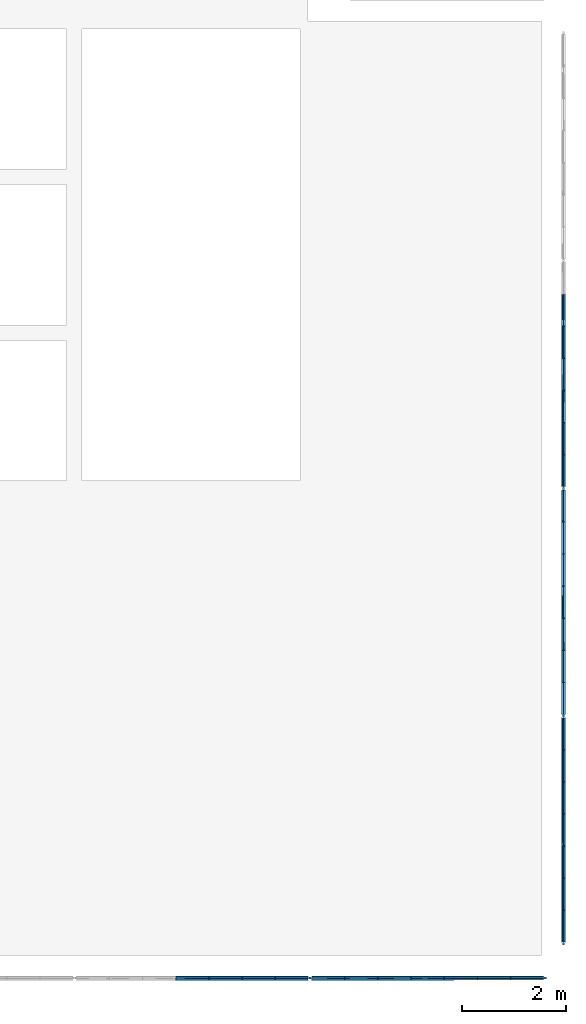
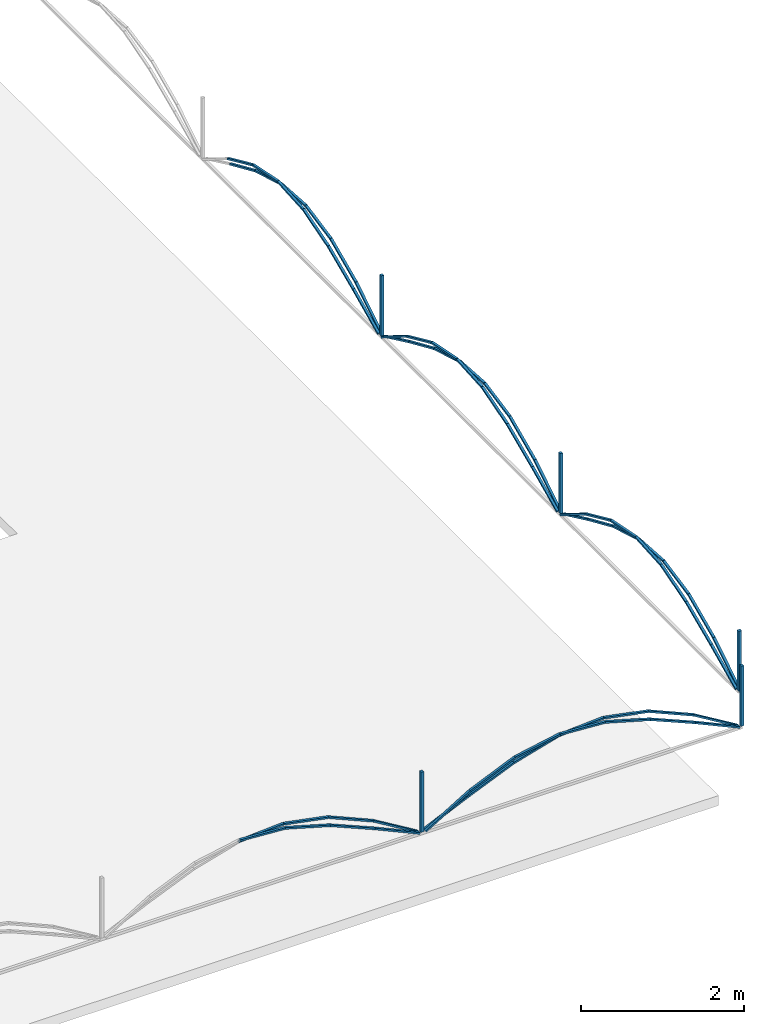
# One storey, part 5 of 9: 67 discrete accessories.
"""IFC4 building model written with IfcOpenShell, lengths in metres."""

from ifc_helpers import new_model, si_unit, direction, frame, origin, origin_2d, place, context, subcontext, project, spatial, rectangle, extrude, material, material_profile, profile_set, type_object, element, save


model = new_model("IFC4")

# Units and contexts
model_context = context("Model", 3, precision=1e-05, world=origin(), true_north=direction((0.0, 1.0)))
body_context = subcontext(model_context, "Body", "Model", "MODEL_VIEW")
ifc_project = project(units=[si_unit("LENGTHUNIT", "METRE"), si_unit("AREAUNIT", "SQUARE_METRE"), si_unit("VOLUMEUNIT", "CUBIC_METRE"), si_unit("PLANEANGLEUNIT", "RADIAN"), si_unit("MASSUNIT", "GRAM", prefix="KILO")], contexts=[model_context])

# Site, building, storey
site_placement = place(None, origin())
site = spatial("IfcSite", under=ifc_project, at=site_placement, CompositionType="ELEMENT")
building_placement = place(site_placement, origin())
building = spatial("IfcBuilding", under=site, at=building_placement, Name="Hortulan Conservatory and Botanical Research Centre", CompositionType="ELEMENT")
storey_placement = place(building_placement, frame((0.0, 0.0, 74.25)))
storey = spatial("IfcBuildingStorey", under=building, at=storey_placement, Name="MAIN ROOF", CompositionType="ELEMENT", Elevation=74.25)

# Discrete accessories
ifc_material = material(Name="Bronze-charcoal painted wrought iron", Category="metal")
ifc_material_profile_1 = material_profile(ifc_material, rectangle(XDim=0.0400390625, YDim=0.0400390625, at=origin_2d()), Name="Square bar 40x40")
ifc_profile_set_1 = profile_set([ifc_material_profile_1], Name="Bronze-charcoal painted wrought iron")
discrete_accessory_type_1 = type_object("IfcDiscreteAccessoryType", Name="Cresting Post 40x40", PredefinedType="USERDEFINED", material=ifc_profile_set_1)
for number, where, z_axis, x_axis, name in (
    (1, (31.574951171875, -0.43603515625, 1.43994140625), (0.0, 0.0, 1.0), (1.0, 0.0, 0.0), "Cresting post"),
    (2, (27.042724609375, -0.43603515625, 1.43994140625), (0.0, 0.0, 1.0), (1.0, 0.0, 0.0), "Cresting post"),
    (3, (31.925048828125, 9.0, 1.43994140625), (0.0, 0.0, 1.0), (1.0, 0.0, 0.0), "Cresting post"),
    (4, (31.925048828125, 4.612548828125, 1.43994140625), (0.0, 0.0, 1.0), (1.0, 0.0, 0.0), "Cresting post"),
    (5, (31.925048828125, 0.22509765625, 1.43994140625), (0.0, 0.0, 1.0), (1.0, 0.0, 0.0), "Cresting post"),
):
    element("IfcDiscreteAccessory", number, at=place(storey_placement, frame(where, z_axis=z_axis, x_axis=x_axis)), inside=storey, type_object=discrete_accessory_type_1, Name=name, ObjectType="Cresting post", PredefinedType="USERDEFINED", context=body_context, shape_type="SweptSolid", body=[
        extrude(rectangle(XDim=0.0400390625, YDim=0.0400390625, at=origin_2d()), origin(), (0.0, 0.0, 1.0), 0.900146484375),
    ])
ifc_material_profile_2 = material_profile(ifc_material, rectangle(XDim=0.034912109375, YDim=0.02490234375, at=origin_2d()), Name="Flat bar 35x25")
ifc_profile_set_2 = profile_set([ifc_material_profile_2], Name="Bronze-charcoal painted wrought iron")
discrete_accessory_type_2 = type_object("IfcDiscreteAccessoryType", Name="Whiplash Bar 35x25", PredefinedType="USERDEFINED", material=ifc_profile_set_2)
discrete_accessory_1_placement = place(storey_placement, frame((31.534912109375, -0.41845703125, 1.43994140625), z_axis=(-0.856475901136, 0.0, 0.516187011433), x_axis=(0.0, -1.0, 0.0)))
element("IfcDiscreteAccessory", 6, at=discrete_accessory_1_placement, inside=storey, type_object=discrete_accessory_type_2, Name="Whiplash bar", ObjectType="Whiplash cresting bar", PredefinedType="USERDEFINED", context=body_context, shape_type="SweptSolid", body=[
    extrude(rectangle(XDim=0.034912109375, YDim=0.02490234375, at=origin_2d()), origin(), (0.0, 0.0, 1.0), 0.74267578125),
])
discrete_accessory_2_placement = place(storey_placement, frame((30.89892578125, -0.41845703125, 1.8232421875), z_axis=(-0.916762059437, 0.0, 0.399433757183), x_axis=(0.0, -1.0, 0.0)))
element("IfcDiscreteAccessory", 7, at=discrete_accessory_2_placement, inside=storey, type_object=discrete_accessory_type_2, Name="Whiplash bar", ObjectType="Whiplash cresting bar", PredefinedType="USERDEFINED", context=body_context, shape_type="SweptSolid", body=[
    extrude(rectangle(XDim=0.034912109375, YDim=0.02490234375, at=origin_2d()), origin(), (0.0, 0.0, 1.0), 0.69384765625),
])
discrete_accessory_3_placement = place(storey_placement, frame((30.262939453125, -0.41845703125, 2.100341796875), z_axis=(-0.981582036387, 0.0, 0.191041110345), x_axis=(0.0, -1.0, 0.0)))
element("IfcDiscreteAccessory", 8, at=discrete_accessory_3_placement, inside=storey, type_object=discrete_accessory_type_2, Name="Whiplash bar", ObjectType="Whiplash cresting bar", PredefinedType="USERDEFINED", context=body_context, shape_type="SweptSolid", body=[
    extrude(rectangle(XDim=0.034912109375, YDim=0.02490234375, at=origin_2d()), origin(), (0.0, 0.0, 1.0), 0.64794921875),
])
discrete_accessory_4_placement = place(storey_placement, frame((29.626953125, -0.41845703125, 2.22412109375), z_axis=(-0.997877401135, 0.0, -0.065120598155), x_axis=(0.0, -1.0, 0.0)))
element("IfcDiscreteAccessory", 9, at=discrete_accessory_4_placement, inside=storey, type_object=discrete_accessory_type_2, Name="Whiplash bar", ObjectType="Whiplash cresting bar", PredefinedType="USERDEFINED", context=body_context, shape_type="SweptSolid", body=[
    extrude(rectangle(XDim=0.034912109375, YDim=0.02490234375, at=origin_2d()), origin(), (0.0, 0.0, 1.0), 0.637451171875),
])
discrete_accessory_5_placement = place(storey_placement, frame((28.990966796875, -0.41845703125, 2.1826171875), z_axis=(-0.961356655994, 0.0, -0.275305975191), x_axis=(0.0, -1.0, 0.0)))
element("IfcDiscreteAccessory", 10, at=discrete_accessory_5_placement, inside=storey, type_object=discrete_accessory_type_2, Name="Whiplash bar", ObjectType="Whiplash cresting bar", PredefinedType="USERDEFINED", context=body_context, shape_type="SweptSolid", body=[
    extrude(rectangle(XDim=0.034912109375, YDim=0.02490234375, at=origin_2d()), origin(), (0.0, 0.0, 1.0), 0.66162109375),
])
discrete_accessory_6_placement = place(storey_placement, frame((28.35498046875, -0.41845703125, 2.00048828125), z_axis=(-0.920400830323, 0.0, -0.390976100985), x_axis=(0.0, -1.0, 0.0)))
element("IfcDiscreteAccessory", 11, at=discrete_accessory_6_placement, inside=storey, type_object=discrete_accessory_type_2, Name="Whiplash bar", ObjectType="Whiplash cresting bar", PredefinedType="USERDEFINED", context=body_context, shape_type="SweptSolid", body=[
    extrude(rectangle(XDim=0.034912109375, YDim=0.02490234375, at=origin_2d()), origin(), (0.0, 0.0, 1.0), 0.691162109375),
])
for number, where, z_axis, x_axis, name in (
    (12, (27.71875, -0.41845703125, 1.730224609375), (-0.909719549908, 0.0, -0.415223241781), (0.0, -1.0, 0.0), "Whiplash bar"),
    (13, (31.534912109375, -0.45361328125, 1.43994140625), (-0.909719549908, 0.0, 0.415223241781), (0.0, -1.0, 0.0), "Whiplash bar"),
):
    element("IfcDiscreteAccessory", number, at=place(storey_placement, frame(where, z_axis=z_axis, x_axis=x_axis)), inside=storey, type_object=discrete_accessory_type_2, Name=name, ObjectType="Whiplash cresting bar", PredefinedType="USERDEFINED", context=body_context, shape_type="SweptSolid", body=[
        extrude(rectangle(XDim=0.034912109375, YDim=0.02490234375, at=origin_2d()), origin(), (0.0, 0.0, 1.0), 0.69921875),
    ])
discrete_accessory_7_placement = place(storey_placement, frame((30.89892578125, -0.45361328125, 1.730224609375), z_axis=(-0.920346815269, 0.0, 0.391103233974), x_axis=(0.0, -1.0, 0.0)))
element("IfcDiscreteAccessory", 14, at=discrete_accessory_7_placement, inside=storey, type_object=discrete_accessory_type_2, Name="Whiplash bar", ObjectType="Whiplash cresting bar", PredefinedType="USERDEFINED", context=body_context, shape_type="SweptSolid", body=[
    extrude(rectangle(XDim=0.034912109375, YDim=0.02490234375, at=origin_2d()), origin(), (0.0, 0.0, 1.0), 0.69091796875),
])
discrete_accessory_8_placement = place(storey_placement, frame((30.262939453125, -0.45361328125, 2.00048828125), z_axis=(-0.961356655994, 0.0, 0.275305975191), x_axis=(0.0, -1.0, 0.0)))
element("IfcDiscreteAccessory", 15, at=discrete_accessory_8_placement, inside=storey, type_object=discrete_accessory_type_2, Name="Whiplash bar", ObjectType="Whiplash cresting bar", PredefinedType="USERDEFINED", context=body_context, shape_type="SweptSolid", body=[
    extrude(rectangle(XDim=0.034912109375, YDim=0.02490234375, at=origin_2d()), origin(), (0.0, 0.0, 1.0), 0.66162109375),
])
discrete_accessory_9_placement = place(storey_placement, frame((29.626953125, -0.45361328125, 2.1826171875), z_axis=(-0.997877401135, 0.0, 0.065120598155), x_axis=(0.0, -1.0, 0.0)))
element("IfcDiscreteAccessory", 16, at=discrete_accessory_9_placement, inside=storey, type_object=discrete_accessory_type_2, Name="Whiplash bar", ObjectType="Whiplash cresting bar", PredefinedType="USERDEFINED", context=body_context, shape_type="SweptSolid", body=[
    extrude(rectangle(XDim=0.034912109375, YDim=0.02490234375, at=origin_2d()), origin(), (0.0, 0.0, 1.0), 0.637451171875),
])
discrete_accessory_10_placement = place(storey_placement, frame((28.990966796875, -0.45361328125, 2.22412109375), z_axis=(-0.981582036387, 0.0, -0.191041110345), x_axis=(0.0, -1.0, 0.0)))
element("IfcDiscreteAccessory", 17, at=discrete_accessory_10_placement, inside=storey, type_object=discrete_accessory_type_2, Name="Whiplash bar", ObjectType="Whiplash cresting bar", PredefinedType="USERDEFINED", context=body_context, shape_type="SweptSolid", body=[
    extrude(rectangle(XDim=0.034912109375, YDim=0.02490234375, at=origin_2d()), origin(), (0.0, 0.0, 1.0), 0.64794921875),
])
discrete_accessory_11_placement = place(storey_placement, frame((28.35498046875, -0.45361328125, 2.100341796875), z_axis=(-0.916818180811, 0.0, -0.399304925257), x_axis=(0.0, -1.0, 0.0)))
element("IfcDiscreteAccessory", 18, at=discrete_accessory_11_placement, inside=storey, type_object=discrete_accessory_type_2, Name="Whiplash bar", ObjectType="Whiplash cresting bar", PredefinedType="USERDEFINED", context=body_context, shape_type="SweptSolid", body=[
    extrude(rectangle(XDim=0.034912109375, YDim=0.02490234375, at=origin_2d()), origin(), (0.0, 0.0, 1.0), 0.69384765625),
])
for number, where, z_axis, x_axis, name in (
    (19, (27.71875, -0.45361328125, 1.8232421875), (-0.856475901136, 0.0, -0.516187011433), (0.0, -1.0, 0.0), "Whiplash bar"),
    (20, (27.002685546875, -0.41845703125, 1.43994140625), (-0.856475901136, 0.0, 0.516187011433), (0.0, -1.0, 0.0), "Whiplash bar"),
):
    element("IfcDiscreteAccessory", number, at=place(storey_placement, frame(where, z_axis=z_axis, x_axis=x_axis)), inside=storey, type_object=discrete_accessory_type_2, Name=name, ObjectType="Whiplash cresting bar", PredefinedType="USERDEFINED", context=body_context, shape_type="SweptSolid", body=[
        extrude(rectangle(XDim=0.034912109375, YDim=0.02490234375, at=origin_2d()), origin(), (0.0, 0.0, 1.0), 0.74267578125),
    ])
discrete_accessory_12_placement = place(storey_placement, frame((26.36669921875, -0.41845703125, 1.8232421875), z_axis=(-0.916762059437, 0.0, 0.399433757183), x_axis=(0.0, -1.0, 0.0)))
element("IfcDiscreteAccessory", 21, at=discrete_accessory_12_placement, inside=storey, type_object=discrete_accessory_type_2, Name="Whiplash bar", ObjectType="Whiplash cresting bar", PredefinedType="USERDEFINED", context=body_context, shape_type="SweptSolid", body=[
    extrude(rectangle(XDim=0.034912109375, YDim=0.02490234375, at=origin_2d()), origin(), (0.0, 0.0, 1.0), 0.69384765625),
])
discrete_accessory_13_placement = place(storey_placement, frame((25.730712890625, -0.41845703125, 2.100341796875), z_axis=(-0.981582036387, 0.0, 0.191041110345), x_axis=(0.0, -1.0, 0.0)))
element("IfcDiscreteAccessory", 22, at=discrete_accessory_13_placement, inside=storey, type_object=discrete_accessory_type_2, Name="Whiplash bar", ObjectType="Whiplash cresting bar", PredefinedType="USERDEFINED", context=body_context, shape_type="SweptSolid", body=[
    extrude(rectangle(XDim=0.034912109375, YDim=0.02490234375, at=origin_2d()), origin(), (0.0, 0.0, 1.0), 0.64794921875),
])
discrete_accessory_14_placement = place(storey_placement, frame((25.0947265625, -0.41845703125, 2.22412109375), z_axis=(-0.997877401135, 0.0, -0.065120598155), x_axis=(0.0, -1.0, 0.0)))
element("IfcDiscreteAccessory", 23, at=discrete_accessory_14_placement, inside=storey, type_object=discrete_accessory_type_2, Name="Whiplash bar", ObjectType="Whiplash cresting bar", PredefinedType="USERDEFINED", context=body_context, shape_type="SweptSolid", body=[
    extrude(rectangle(XDim=0.034912109375, YDim=0.02490234375, at=origin_2d()), origin(), (0.0, 0.0, 1.0), 0.637451171875),
])
discrete_accessory_15_placement = place(storey_placement, frame((27.002685546875, -0.45361328125, 1.43994140625), z_axis=(-0.909719549908, 0.0, 0.415223241781), x_axis=(0.0, -1.0, 0.0)))
element("IfcDiscreteAccessory", 24, at=discrete_accessory_15_placement, inside=storey, type_object=discrete_accessory_type_2, Name="Whiplash bar", ObjectType="Whiplash cresting bar", PredefinedType="USERDEFINED", context=body_context, shape_type="SweptSolid", body=[
    extrude(rectangle(XDim=0.034912109375, YDim=0.02490234375, at=origin_2d()), origin(), (0.0, 0.0, 1.0), 0.69921875),
])
discrete_accessory_16_placement = place(storey_placement, frame((26.36669921875, -0.45361328125, 1.730224609375), z_axis=(-0.920346815269, 0.0, 0.391103233974), x_axis=(0.0, -1.0, 0.0)))
element("IfcDiscreteAccessory", 25, at=discrete_accessory_16_placement, inside=storey, type_object=discrete_accessory_type_2, Name="Whiplash bar", ObjectType="Whiplash cresting bar", PredefinedType="USERDEFINED", context=body_context, shape_type="SweptSolid", body=[
    extrude(rectangle(XDim=0.034912109375, YDim=0.02490234375, at=origin_2d()), origin(), (0.0, 0.0, 1.0), 0.69091796875),
])
discrete_accessory_17_placement = place(storey_placement, frame((25.730712890625, -0.45361328125, 2.00048828125), z_axis=(-0.961356655994, 0.0, 0.275305975191), x_axis=(0.0, -1.0, 0.0)))
element("IfcDiscreteAccessory", 26, at=discrete_accessory_17_placement, inside=storey, type_object=discrete_accessory_type_2, Name="Whiplash bar", ObjectType="Whiplash cresting bar", PredefinedType="USERDEFINED", context=body_context, shape_type="SweptSolid", body=[
    extrude(rectangle(XDim=0.034912109375, YDim=0.02490234375, at=origin_2d()), origin(), (0.0, 0.0, 1.0), 0.66162109375),
])
discrete_accessory_18_placement = place(storey_placement, frame((25.0947265625, -0.45361328125, 2.1826171875), z_axis=(-0.997877401135, 0.0, 0.065120598155), x_axis=(0.0, -1.0, 0.0)))
element("IfcDiscreteAccessory", 27, at=discrete_accessory_18_placement, inside=storey, type_object=discrete_accessory_type_2, Name="Whiplash bar", ObjectType="Whiplash cresting bar", PredefinedType="USERDEFINED", context=body_context, shape_type="SweptSolid", body=[
    extrude(rectangle(XDim=0.034912109375, YDim=0.02490234375, at=origin_2d()), origin(), (0.0, 0.0, 1.0), 0.637451171875),
])
discrete_accessory_19_placement = place(storey_placement, frame((31.907470703125, 12.732177734375, 1.8232421875), z_axis=(0.0, -0.911847044529, 0.410530105331), x_axis=(1.0, 0.0, 0.0)))
element("IfcDiscreteAccessory", 28, at=discrete_accessory_19_placement, inside=storey, type_object=discrete_accessory_type_2, Name="Whiplash bar", ObjectType="Whiplash cresting bar", PredefinedType="USERDEFINED", context=body_context, shape_type="SweptSolid", body=[
    extrude(rectangle(XDim=0.034912109375, YDim=0.02490234375, at=origin_2d()), origin(), (0.0, 0.0, 1.0), 0.675048828125),
])
discrete_accessory_20_placement = place(storey_placement, frame((31.907470703125, 12.11669921875, 2.100341796875), z_axis=(0.0, -0.980355593169, 0.197238208626), x_axis=(1.0, 0.0, 0.0)))
element("IfcDiscreteAccessory", 29, at=discrete_accessory_20_placement, inside=storey, type_object=discrete_accessory_type_2, Name="Whiplash bar", ObjectType="Whiplash cresting bar", PredefinedType="USERDEFINED", context=body_context, shape_type="SweptSolid", body=[
    extrude(rectangle(XDim=0.034912109375, YDim=0.02490234375, at=origin_2d()), origin(), (0.0, 0.0, 1.0), 0.62744140625),
])
discrete_accessory_21_placement = place(storey_placement, frame((31.907470703125, 11.50146484375, 2.22412109375), z_axis=(0.0, -0.997734082527, -0.067280759234), x_axis=(1.0, 0.0, 0.0)))
element("IfcDiscreteAccessory", 30, at=discrete_accessory_21_placement, inside=storey, type_object=discrete_accessory_type_2, Name="Whiplash bar", ObjectType="Whiplash cresting bar", PredefinedType="USERDEFINED", context=body_context, shape_type="SweptSolid", body=[
    extrude(rectangle(XDim=0.034912109375, YDim=0.02490234375, at=origin_2d()), origin(), (0.0, 0.0, 1.0), 0.616943359375),
])
discrete_accessory_22_placement = place(storey_placement, frame((31.907470703125, 10.885986328125, 2.1826171875), z_axis=(0.0, -0.958867179445, -0.283855125344), x_axis=(1.0, 0.0, 0.0)))
element("IfcDiscreteAccessory", 31, at=discrete_accessory_22_placement, inside=storey, type_object=discrete_accessory_type_2, Name="Whiplash bar", ObjectType="Whiplash cresting bar", PredefinedType="USERDEFINED", context=body_context, shape_type="SweptSolid", body=[
    extrude(rectangle(XDim=0.034912109375, YDim=0.02490234375, at=origin_2d()), origin(), (0.0, 0.0, 1.0), 0.6416015625),
])
discrete_accessory_23_placement = place(storey_placement, frame((31.907470703125, 10.270751953125, 2.00048828125), z_axis=(0.0, -0.915555942631, -0.402190646227), x_axis=(1.0, 0.0, 0.0)))
element("IfcDiscreteAccessory", 32, at=discrete_accessory_23_placement, inside=storey, type_object=discrete_accessory_type_2, Name="Whiplash bar", ObjectType="Whiplash cresting bar", PredefinedType="USERDEFINED", context=body_context, shape_type="SweptSolid", body=[
    extrude(rectangle(XDim=0.034912109375, YDim=0.02490234375, at=origin_2d()), origin(), (0.0, 0.0, 1.0), 0.671875),
])
discrete_accessory_24_placement = place(storey_placement, frame((31.907470703125, 9.655517578125, 1.730224609375), z_axis=(0.0, -0.904452486438, -0.426574377777), x_axis=(1.0, 0.0, 0.0)))
element("IfcDiscreteAccessory", 33, at=discrete_accessory_24_placement, inside=storey, type_object=discrete_accessory_type_2, Name="Whiplash bar", ObjectType="Whiplash cresting bar", PredefinedType="USERDEFINED", context=body_context, shape_type="SweptSolid", body=[
    extrude(rectangle(XDim=0.034912109375, YDim=0.02490234375, at=origin_2d()), origin(), (0.0, 0.0, 1.0), 0.680419921875),
])
discrete_accessory_25_placement = place(storey_placement, frame((31.9423828125, 12.732177734375, 1.730224609375), z_axis=(0.0, -0.915614682317, 0.402056903342), x_axis=(1.0, 0.0, 0.0)))
element("IfcDiscreteAccessory", 34, at=discrete_accessory_25_placement, inside=storey, type_object=discrete_accessory_type_2, Name="Whiplash bar", ObjectType="Whiplash cresting bar", PredefinedType="USERDEFINED", context=body_context, shape_type="SweptSolid", body=[
    extrude(rectangle(XDim=0.034912109375, YDim=0.02490234375, at=origin_2d()), origin(), (0.0, 0.0, 1.0), 0.672119140625),
])
discrete_accessory_26_placement = place(storey_placement, frame((31.9423828125, 12.11669921875, 2.00048828125), z_axis=(0.0, -0.958867179445, 0.283855125344), x_axis=(1.0, 0.0, 0.0)))
element("IfcDiscreteAccessory", 35, at=discrete_accessory_26_placement, inside=storey, type_object=discrete_accessory_type_2, Name="Whiplash bar", ObjectType="Whiplash cresting bar", PredefinedType="USERDEFINED", context=body_context, shape_type="SweptSolid", body=[
    extrude(rectangle(XDim=0.034912109375, YDim=0.02490234375, at=origin_2d()), origin(), (0.0, 0.0, 1.0), 0.6416015625),
])
discrete_accessory_27_placement = place(storey_placement, frame((31.9423828125, 11.50146484375, 2.1826171875), z_axis=(0.0, -0.997734082527, 0.067280759234), x_axis=(1.0, 0.0, 0.0)))
element("IfcDiscreteAccessory", 36, at=discrete_accessory_27_placement, inside=storey, type_object=discrete_accessory_type_2, Name="Whiplash bar", ObjectType="Whiplash cresting bar", PredefinedType="USERDEFINED", context=body_context, shape_type="SweptSolid", body=[
    extrude(rectangle(XDim=0.034912109375, YDim=0.02490234375, at=origin_2d()), origin(), (0.0, 0.0, 1.0), 0.616943359375),
])
discrete_accessory_28_placement = place(storey_placement, frame((31.9423828125, 10.885986328125, 2.22412109375), z_axis=(0.0, -0.980355593169, -0.197238208626), x_axis=(1.0, 0.0, 0.0)))
element("IfcDiscreteAccessory", 37, at=discrete_accessory_28_placement, inside=storey, type_object=discrete_accessory_type_2, Name="Whiplash bar", ObjectType="Whiplash cresting bar", PredefinedType="USERDEFINED", context=body_context, shape_type="SweptSolid", body=[
    extrude(rectangle(XDim=0.034912109375, YDim=0.02490234375, at=origin_2d()), origin(), (0.0, 0.0, 1.0), 0.62744140625),
])
discrete_accessory_29_placement = place(storey_placement, frame((31.9423828125, 10.270751953125, 2.100341796875), z_axis=(0.0, -0.911786055171, -0.41066554469), x_axis=(1.0, 0.0, 0.0)))
element("IfcDiscreteAccessory", 38, at=discrete_accessory_29_placement, inside=storey, type_object=discrete_accessory_type_2, Name="Whiplash bar", ObjectType="Whiplash cresting bar", PredefinedType="USERDEFINED", context=body_context, shape_type="SweptSolid", body=[
    extrude(rectangle(XDim=0.034912109375, YDim=0.02490234375, at=origin_2d()), origin(), (0.0, 0.0, 1.0), 0.6748046875),
])
for number, where, z_axis, x_axis, name in (
    (39, (31.9423828125, 9.655517578125, 1.8232421875), (0.0, -0.848848445952, -0.528636279312), (1.0, 0.0, 0.0), "Whiplash bar"),
    (40, (31.907470703125, 8.9599609375, 1.43994140625), (0.0, -0.848848445952, 0.528636279312), (1.0, 0.0, 0.0), "Whiplash bar"),
):
    element("IfcDiscreteAccessory", number, at=place(storey_placement, frame(where, z_axis=z_axis, x_axis=x_axis)), inside=storey, type_object=discrete_accessory_type_2, Name=name, ObjectType="Whiplash cresting bar", PredefinedType="USERDEFINED", context=body_context, shape_type="SweptSolid", body=[
        extrude(rectangle(XDim=0.034912109375, YDim=0.02490234375, at=origin_2d()), origin(), (0.0, 0.0, 1.0), 0.72509765625),
    ])
discrete_accessory_30_placement = place(storey_placement, frame((31.907470703125, 8.344482421875, 1.8232421875), z_axis=(0.0, -0.911786055171, 0.41066554469), x_axis=(1.0, 0.0, 0.0)))
element("IfcDiscreteAccessory", 41, at=discrete_accessory_30_placement, inside=storey, type_object=discrete_accessory_type_2, Name="Whiplash bar", ObjectType="Whiplash cresting bar", PredefinedType="USERDEFINED", context=body_context, shape_type="SweptSolid", body=[
    extrude(rectangle(XDim=0.034912109375, YDim=0.02490234375, at=origin_2d()), origin(), (0.0, 0.0, 1.0), 0.6748046875),
])
discrete_accessory_31_placement = place(storey_placement, frame((31.907470703125, 7.729248046875, 2.100341796875), z_axis=(0.0, -0.980355593169, 0.197238208626), x_axis=(1.0, 0.0, 0.0)))
element("IfcDiscreteAccessory", 42, at=discrete_accessory_31_placement, inside=storey, type_object=discrete_accessory_type_2, Name="Whiplash bar", ObjectType="Whiplash cresting bar", PredefinedType="USERDEFINED", context=body_context, shape_type="SweptSolid", body=[
    extrude(rectangle(XDim=0.034912109375, YDim=0.02490234375, at=origin_2d()), origin(), (0.0, 0.0, 1.0), 0.62744140625),
])
discrete_accessory_32_placement = place(storey_placement, frame((31.907470703125, 7.114013671875, 2.22412109375), z_axis=(0.0, -0.997734082527, -0.067280759234), x_axis=(1.0, 0.0, 0.0)))
element("IfcDiscreteAccessory", 43, at=discrete_accessory_32_placement, inside=storey, type_object=discrete_accessory_type_2, Name="Whiplash bar", ObjectType="Whiplash cresting bar", PredefinedType="USERDEFINED", context=body_context, shape_type="SweptSolid", body=[
    extrude(rectangle(XDim=0.034912109375, YDim=0.02490234375, at=origin_2d()), origin(), (0.0, 0.0, 1.0), 0.616943359375),
])
discrete_accessory_33_placement = place(storey_placement, frame((31.907470703125, 6.49853515625, 2.1826171875), z_axis=(0.0, -0.958867179445, -0.283855125344), x_axis=(1.0, 0.0, 0.0)))
element("IfcDiscreteAccessory", 44, at=discrete_accessory_33_placement, inside=storey, type_object=discrete_accessory_type_2, Name="Whiplash bar", ObjectType="Whiplash cresting bar", PredefinedType="USERDEFINED", context=body_context, shape_type="SweptSolid", body=[
    extrude(rectangle(XDim=0.034912109375, YDim=0.02490234375, at=origin_2d()), origin(), (0.0, 0.0, 1.0), 0.6416015625),
])
discrete_accessory_34_placement = place(storey_placement, frame((31.907470703125, 5.88330078125, 2.00048828125), z_axis=(0.0, -0.915614682317, -0.402056903342), x_axis=(1.0, 0.0, 0.0)))
element("IfcDiscreteAccessory", 45, at=discrete_accessory_34_placement, inside=storey, type_object=discrete_accessory_type_2, Name="Whiplash bar", ObjectType="Whiplash cresting bar", PredefinedType="USERDEFINED", context=body_context, shape_type="SweptSolid", body=[
    extrude(rectangle(XDim=0.034912109375, YDim=0.02490234375, at=origin_2d()), origin(), (0.0, 0.0, 1.0), 0.672119140625),
])
discrete_accessory_35_placement = place(storey_placement, frame((31.907470703125, 5.267822265625, 1.730224609375), z_axis=(0.0, -0.904387171298, -0.426712835982), x_axis=(1.0, 0.0, 0.0)))
element("IfcDiscreteAccessory", 46, at=discrete_accessory_35_placement, inside=storey, type_object=discrete_accessory_type_2, Name="Whiplash bar", ObjectType="Whiplash cresting bar", PredefinedType="USERDEFINED", context=body_context, shape_type="SweptSolid", body=[
    extrude(rectangle(XDim=0.034912109375, YDim=0.02490234375, at=origin_2d()), origin(), (0.0, 0.0, 1.0), 0.68017578125),
])
discrete_accessory_36_placement = place(storey_placement, frame((31.9423828125, 8.9599609375, 1.43994140625), z_axis=(0.0, -0.904452486438, 0.426574377777), x_axis=(1.0, 0.0, 0.0)))
element("IfcDiscreteAccessory", 47, at=discrete_accessory_36_placement, inside=storey, type_object=discrete_accessory_type_2, Name="Whiplash bar", ObjectType="Whiplash cresting bar", PredefinedType="USERDEFINED", context=body_context, shape_type="SweptSolid", body=[
    extrude(rectangle(XDim=0.034912109375, YDim=0.02490234375, at=origin_2d()), origin(), (0.0, 0.0, 1.0), 0.680419921875),
])
discrete_accessory_37_placement = place(storey_placement, frame((31.9423828125, 8.344482421875, 1.730224609375), z_axis=(0.0, -0.915555942631, 0.402190646227), x_axis=(1.0, 0.0, 0.0)))
element("IfcDiscreteAccessory", 48, at=discrete_accessory_37_placement, inside=storey, type_object=discrete_accessory_type_2, Name="Whiplash bar", ObjectType="Whiplash cresting bar", PredefinedType="USERDEFINED", context=body_context, shape_type="SweptSolid", body=[
    extrude(rectangle(XDim=0.034912109375, YDim=0.02490234375, at=origin_2d()), origin(), (0.0, 0.0, 1.0), 0.671875),
])
discrete_accessory_38_placement = place(storey_placement, frame((31.9423828125, 7.729248046875, 2.00048828125), z_axis=(0.0, -0.958867179445, 0.283855125344), x_axis=(1.0, 0.0, 0.0)))
element("IfcDiscreteAccessory", 49, at=discrete_accessory_38_placement, inside=storey, type_object=discrete_accessory_type_2, Name="Whiplash bar", ObjectType="Whiplash cresting bar", PredefinedType="USERDEFINED", context=body_context, shape_type="SweptSolid", body=[
    extrude(rectangle(XDim=0.034912109375, YDim=0.02490234375, at=origin_2d()), origin(), (0.0, 0.0, 1.0), 0.6416015625),
])
discrete_accessory_39_placement = place(storey_placement, frame((31.9423828125, 7.114013671875, 2.1826171875), z_axis=(0.0, -0.997734082527, 0.067280759234), x_axis=(1.0, 0.0, 0.0)))
element("IfcDiscreteAccessory", 50, at=discrete_accessory_39_placement, inside=storey, type_object=discrete_accessory_type_2, Name="Whiplash bar", ObjectType="Whiplash cresting bar", PredefinedType="USERDEFINED", context=body_context, shape_type="SweptSolid", body=[
    extrude(rectangle(XDim=0.034912109375, YDim=0.02490234375, at=origin_2d()), origin(), (0.0, 0.0, 1.0), 0.616943359375),
])
discrete_accessory_40_placement = place(storey_placement, frame((31.9423828125, 6.49853515625, 2.22412109375), z_axis=(0.0, -0.980355593169, -0.197238208626), x_axis=(1.0, 0.0, 0.0)))
element("IfcDiscreteAccessory", 51, at=discrete_accessory_40_placement, inside=storey, type_object=discrete_accessory_type_2, Name="Whiplash bar", ObjectType="Whiplash cresting bar", PredefinedType="USERDEFINED", context=body_context, shape_type="SweptSolid", body=[
    extrude(rectangle(XDim=0.034912109375, YDim=0.02490234375, at=origin_2d()), origin(), (0.0, 0.0, 1.0), 0.62744140625),
])
discrete_accessory_41_placement = place(storey_placement, frame((31.9423828125, 5.88330078125, 2.100341796875), z_axis=(0.0, -0.911847044529, -0.410530105331), x_axis=(1.0, 0.0, 0.0)))
element("IfcDiscreteAccessory", 52, at=discrete_accessory_41_placement, inside=storey, type_object=discrete_accessory_type_2, Name="Whiplash bar", ObjectType="Whiplash cresting bar", PredefinedType="USERDEFINED", context=body_context, shape_type="SweptSolid", body=[
    extrude(rectangle(XDim=0.034912109375, YDim=0.02490234375, at=origin_2d()), origin(), (0.0, 0.0, 1.0), 0.675048828125),
])
discrete_accessory_42_placement = place(storey_placement, frame((31.9423828125, 5.267822265625, 1.8232421875), z_axis=(0.0, -0.84875430958, -0.528787407159), x_axis=(1.0, 0.0, 0.0)))
element("IfcDiscreteAccessory", 53, at=discrete_accessory_42_placement, inside=storey, type_object=discrete_accessory_type_2, Name="Whiplash bar", ObjectType="Whiplash cresting bar", PredefinedType="USERDEFINED", context=body_context, shape_type="SweptSolid", body=[
    extrude(rectangle(XDim=0.034912109375, YDim=0.02490234375, at=origin_2d()), origin(), (0.0, 0.0, 1.0), 0.724853515625),
])
discrete_accessory_43_placement = place(storey_placement, frame((31.907470703125, 4.572509765625, 1.43994140625), z_axis=(0.0, -0.848848445952, 0.528636279312), x_axis=(1.0, 0.0, 0.0)))
element("IfcDiscreteAccessory", 54, at=discrete_accessory_43_placement, inside=storey, type_object=discrete_accessory_type_2, Name="Whiplash bar", ObjectType="Whiplash cresting bar", PredefinedType="USERDEFINED", context=body_context, shape_type="SweptSolid", body=[
    extrude(rectangle(XDim=0.034912109375, YDim=0.02490234375, at=origin_2d()), origin(), (0.0, 0.0, 1.0), 0.72509765625),
])
discrete_accessory_44_placement = place(storey_placement, frame((31.907470703125, 3.95703125, 1.8232421875), z_axis=(0.0, -0.911786055171, 0.41066554469), x_axis=(1.0, 0.0, 0.0)))
element("IfcDiscreteAccessory", 55, at=discrete_accessory_44_placement, inside=storey, type_object=discrete_accessory_type_2, Name="Whiplash bar", ObjectType="Whiplash cresting bar", PredefinedType="USERDEFINED", context=body_context, shape_type="SweptSolid", body=[
    extrude(rectangle(XDim=0.034912109375, YDim=0.02490234375, at=origin_2d()), origin(), (0.0, 0.0, 1.0), 0.6748046875),
])
discrete_accessory_45_placement = place(storey_placement, frame((31.907470703125, 3.341796875, 2.100341796875), z_axis=(0.0, -0.980370718915, 0.197163012491), x_axis=(1.0, 0.0, 0.0)))
element("IfcDiscreteAccessory", 56, at=discrete_accessory_45_placement, inside=storey, type_object=discrete_accessory_type_2, Name="Whiplash bar", ObjectType="Whiplash cresting bar", PredefinedType="USERDEFINED", context=body_context, shape_type="SweptSolid", body=[
    extrude(rectangle(XDim=0.034912109375, YDim=0.02490234375, at=origin_2d()), origin(), (0.0, 0.0, 1.0), 0.627685546875),
])
discrete_accessory_46_placement = place(storey_placement, frame((31.907470703125, 2.726318359375, 2.22412109375), z_axis=(0.0, -0.997732289937, -0.06730733702), x_axis=(1.0, 0.0, 0.0)))
element("IfcDiscreteAccessory", 57, at=discrete_accessory_46_placement, inside=storey, type_object=discrete_accessory_type_2, Name="Whiplash bar", ObjectType="Whiplash cresting bar", PredefinedType="USERDEFINED", context=body_context, shape_type="SweptSolid", body=[
    extrude(rectangle(XDim=0.034912109375, YDim=0.02490234375, at=origin_2d()), origin(), (0.0, 0.0, 1.0), 0.61669921875),
])
discrete_accessory_47_placement = place(storey_placement, frame((31.907470703125, 2.111083984375, 2.1826171875), z_axis=(0.0, -0.958897821209, -0.283751596439), x_axis=(1.0, 0.0, 0.0)))
element("IfcDiscreteAccessory", 58, at=discrete_accessory_47_placement, inside=storey, type_object=discrete_accessory_type_2, Name="Whiplash bar", ObjectType="Whiplash cresting bar", PredefinedType="USERDEFINED", context=body_context, shape_type="SweptSolid", body=[
    extrude(rectangle(XDim=0.034912109375, YDim=0.02490234375, at=origin_2d()), origin(), (0.0, 0.0, 1.0), 0.641845703125),
])
discrete_accessory_48_placement = place(storey_placement, frame((31.907470703125, 1.49560546875, 2.00048828125), z_axis=(0.0, -0.915555942631, -0.402190646227), x_axis=(1.0, 0.0, 0.0)))
element("IfcDiscreteAccessory", 59, at=discrete_accessory_48_placement, inside=storey, type_object=discrete_accessory_type_2, Name="Whiplash bar", ObjectType="Whiplash cresting bar", PredefinedType="USERDEFINED", context=body_context, shape_type="SweptSolid", body=[
    extrude(rectangle(XDim=0.034912109375, YDim=0.02490234375, at=origin_2d()), origin(), (0.0, 0.0, 1.0), 0.671875),
])
for number, where, z_axis, x_axis, name in (
    (60, (31.907470703125, 0.88037109375, 1.730224609375), (0.0, -0.904452486438, -0.426574377777), (1.0, 0.0, 0.0), "Whiplash bar"),
    (61, (31.9423828125, 4.572509765625, 1.43994140625), (0.0, -0.904452486438, 0.426574377777), (1.0, 0.0, 0.0), "Whiplash bar"),
):
    element("IfcDiscreteAccessory", number, at=place(storey_placement, frame(where, z_axis=z_axis, x_axis=x_axis)), inside=storey, type_object=discrete_accessory_type_2, Name=name, ObjectType="Whiplash cresting bar", PredefinedType="USERDEFINED", context=body_context, shape_type="SweptSolid", body=[
        extrude(rectangle(XDim=0.034912109375, YDim=0.02490234375, at=origin_2d()), origin(), (0.0, 0.0, 1.0), 0.680419921875),
    ])
discrete_accessory_49_placement = place(storey_placement, frame((31.9423828125, 3.95703125, 1.730224609375), z_axis=(0.0, -0.915555942631, 0.402190646227), x_axis=(1.0, 0.0, 0.0)))
element("IfcDiscreteAccessory", 62, at=discrete_accessory_49_placement, inside=storey, type_object=discrete_accessory_type_2, Name="Whiplash bar", ObjectType="Whiplash cresting bar", PredefinedType="USERDEFINED", context=body_context, shape_type="SweptSolid", body=[
    extrude(rectangle(XDim=0.034912109375, YDim=0.02490234375, at=origin_2d()), origin(), (0.0, 0.0, 1.0), 0.671875),
])
discrete_accessory_50_placement = place(storey_placement, frame((31.9423828125, 3.341796875, 2.00048828125), z_axis=(0.0, -0.958897821209, 0.283751596439), x_axis=(1.0, 0.0, 0.0)))
element("IfcDiscreteAccessory", 63, at=discrete_accessory_50_placement, inside=storey, type_object=discrete_accessory_type_2, Name="Whiplash bar", ObjectType="Whiplash cresting bar", PredefinedType="USERDEFINED", context=body_context, shape_type="SweptSolid", body=[
    extrude(rectangle(XDim=0.034912109375, YDim=0.02490234375, at=origin_2d()), origin(), (0.0, 0.0, 1.0), 0.641845703125),
])
discrete_accessory_51_placement = place(storey_placement, frame((31.9423828125, 2.726318359375, 2.1826171875), z_axis=(0.0, -0.997732289937, 0.06730733702), x_axis=(1.0, 0.0, 0.0)))
element("IfcDiscreteAccessory", 64, at=discrete_accessory_51_placement, inside=storey, type_object=discrete_accessory_type_2, Name="Whiplash bar", ObjectType="Whiplash cresting bar", PredefinedType="USERDEFINED", context=body_context, shape_type="SweptSolid", body=[
    extrude(rectangle(XDim=0.034912109375, YDim=0.02490234375, at=origin_2d()), origin(), (0.0, 0.0, 1.0), 0.61669921875),
])
discrete_accessory_52_placement = place(storey_placement, frame((31.9423828125, 2.111083984375, 2.22412109375), z_axis=(0.0, -0.980370718915, -0.197163012491), x_axis=(1.0, 0.0, 0.0)))
element("IfcDiscreteAccessory", 65, at=discrete_accessory_52_placement, inside=storey, type_object=discrete_accessory_type_2, Name="Whiplash bar", ObjectType="Whiplash cresting bar", PredefinedType="USERDEFINED", context=body_context, shape_type="SweptSolid", body=[
    extrude(rectangle(XDim=0.034912109375, YDim=0.02490234375, at=origin_2d()), origin(), (0.0, 0.0, 1.0), 0.627685546875),
])
discrete_accessory_53_placement = place(storey_placement, frame((31.9423828125, 1.49560546875, 2.100341796875), z_axis=(0.0, -0.911786055171, -0.41066554469), x_axis=(1.0, 0.0, 0.0)))
element("IfcDiscreteAccessory", 66, at=discrete_accessory_53_placement, inside=storey, type_object=discrete_accessory_type_2, Name="Whiplash bar", ObjectType="Whiplash cresting bar", PredefinedType="USERDEFINED", context=body_context, shape_type="SweptSolid", body=[
    extrude(rectangle(XDim=0.034912109375, YDim=0.02490234375, at=origin_2d()), origin(), (0.0, 0.0, 1.0), 0.6748046875),
])
discrete_accessory_54_placement = place(storey_placement, frame((31.9423828125, 0.88037109375, 1.8232421875), z_axis=(0.0, -0.848848445952, -0.528636279312), x_axis=(1.0, 0.0, 0.0)))
element("IfcDiscreteAccessory", 67, at=discrete_accessory_54_placement, inside=storey, type_object=discrete_accessory_type_2, Name="Whiplash bar", ObjectType="Whiplash cresting bar", PredefinedType="USERDEFINED", context=body_context, shape_type="SweptSolid", body=[
    extrude(rectangle(XDim=0.034912109375, YDim=0.02490234375, at=origin_2d()), origin(), (0.0, 0.0, 1.0), 0.72509765625),
])

save(model, "model.ifc")
